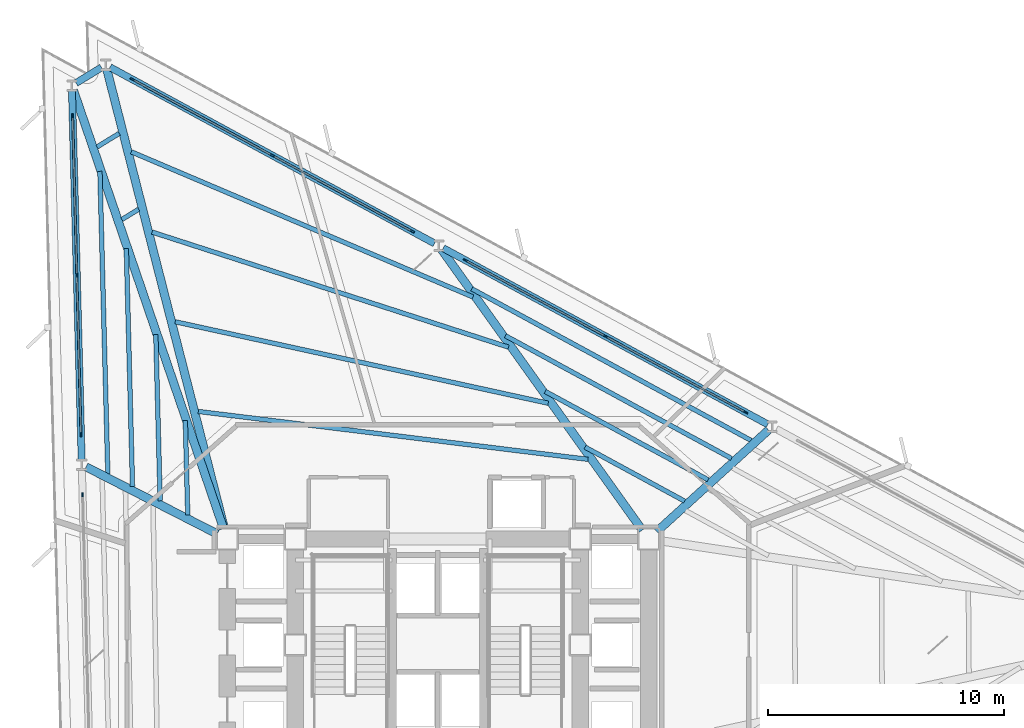
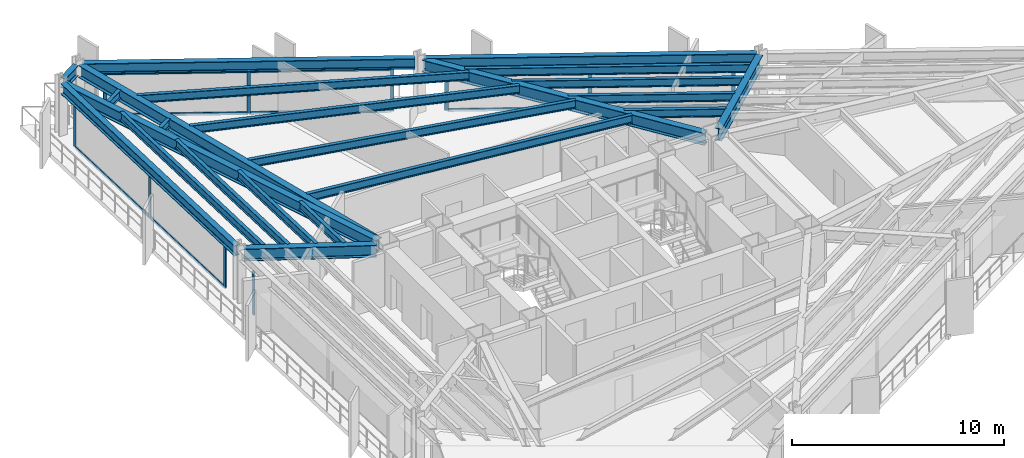
# One storey, part 5 of 14: 23 beams, 22 members, 4 elements without a shape of their own.
"""IFC4 building model written with IfcOpenShell, lengths in metres."""

from ifc_helpers import new_model, si_unit, direction, frame, origin, origin_2d, place, context, subcontext, project, spatial, rectangle, i_section, extrude, material, layer, layer_set, material_profile, profile_set, type_object, element, aggregate, save


model = new_model("IFC4")

# Units and contexts
model_context = context("Model", 3, precision=1e-05, world=origin(), true_north=direction((0.0, 1.0)))
body_context = subcontext(model_context, "Body", "Model", "MODEL_VIEW")
ifc_project = project(units=[si_unit("LENGTHUNIT", "METRE"), si_unit("AREAUNIT", "SQUARE_METRE"), si_unit("VOLUMEUNIT", "CUBIC_METRE"), si_unit("PLANEANGLEUNIT", "RADIAN"), si_unit("MASSUNIT", "GRAM", prefix="KILO")], contexts=[model_context])

# Site, building, storey
site_placement = place(None, origin())
site = spatial("IfcSite", under=ifc_project, at=site_placement, CompositionType="ELEMENT")
building_placement = place(site_placement, origin())
building = spatial("IfcBuilding", under=site, at=building_placement, Name="Rocaltana Carrier Exchange", CompositionType="ELEMENT")
storey_placement = place(building_placement, frame((0.0, 0.0, 22.239990234375)))
storey = spatial("IfcBuildingStorey", under=building, at=storey_placement, Name="L07", CompositionType="ELEMENT", Elevation=22.239990234375)

# Curtain wall, members
ifc_material_1 = material(Name="Aluminium 6063-T6", Category="aluminium")
ifc_layer = layer(ifc_material_1, 0.179931640625)
ifc_layer_set = layer_set([ifc_layer], Name="Aluminium 6063-T6")
curtain_wall_type = type_object("IfcCurtainWallType", Name="Sandstone Spandrel Unitised Curtain Wall CW-01", PredefinedType="NOTDEFINED", material=ifc_layer_set)
curtain_wall_1_placement = place(storey_placement, origin())
curtain_wall_1 = element("IfcCurtainWall", 1, at=curtain_wall_1_placement, inside=storey, type_object=curtain_wall_type, Name="L07 CW-01 Run CW-L07-F1S2", PredefinedType="NOTDEFINED")
ifc_material_2 = material(Name="Aluminium 6063-T6", Category="aluminium")
ifc_material_profile_1 = material_profile(ifc_material_2, rectangle(XDim=0.06494140625, YDim=0.179931640625, at=origin_2d()), Name="AL-65X180")
ifc_profile_set_1 = profile_set([ifc_material_profile_1], Name="Aluminium 6063-T6")
member_type_1 = type_object("IfcMemberType", Name="CW-01 Mullion AL-65X180", PredefinedType="MULLION", material=ifc_profile_set_1)
member_1_placement = place(storey_placement, frame((13.064697265625, 9.87890625, 0.0), z_axis=(0.0, 0.0, 1.0), x_axis=(-0.477164068636, -0.878814230428, 0.0)))
member_1 = element("IfcMember", 2, at=member_1_placement, type_object=member_type_1, Name="CW-01 mullion 1", PredefinedType="MULLION", context=body_context, shape_type="SweptSolid", body=[
    extrude(rectangle(XDim=0.06494140625, YDim=0.179931640625, at=origin_2d()), origin(), (0.0, 0.0, 1.0), 2.47802734375),
])
member_2_placement = place(storey_placement, frame((7.1171875, 13.108154296875, 0.0), z_axis=(0.0, 0.0, 1.0), x_axis=(-0.477164068636, -0.878814230428, 0.0)))
member_2 = element("IfcMember", 3, at=member_2_placement, type_object=member_type_1, Name="CW-01 mullion 2", PredefinedType="MULLION", context=body_context, shape_type="SweptSolid", body=[
    extrude(rectangle(XDim=0.06494140625, YDim=0.179931640625, at=origin_2d()), origin(), (0.0, 0.0, 1.0), 2.47802734375),
])
member_3_placement = place(storey_placement, frame((1.169677734375, 16.33740234375, 0.0), z_axis=(0.0, 0.0, 1.0), x_axis=(-0.477164068636, -0.878814230428, 0.0)))
member_3 = element("IfcMember", 4, at=member_3_placement, type_object=member_type_1, Name="CW-01 mullion 3", PredefinedType="MULLION", context=body_context, shape_type="SweptSolid", body=[
    extrude(rectangle(XDim=0.06494140625, YDim=0.179931640625, at=origin_2d()), origin(), (0.0, 0.0, 1.0), 2.47802734375),
])

curtain_wall_2_placement = place(storey_placement, origin())
curtain_wall_2 = element("IfcCurtainWall", 5, at=curtain_wall_2_placement, inside=storey, type_object=curtain_wall_type, Name="L07 CW-01 Run CW-L07-F1S3", PredefinedType="NOTDEFINED")
member_4_placement = place(storey_placement, frame((-1.08447265625, 17.5615234375, 0.0), z_axis=(0.0, 0.0, 1.0), x_axis=(-0.477155794406, -0.878818722982, 0.0)))
member_4 = element("IfcMember", 6, at=member_4_placement, type_object=member_type_1, Name="CW-01 mullion 1", PredefinedType="MULLION", context=body_context, shape_type="SweptSolid", body=[
    extrude(rectangle(XDim=0.06494140625, YDim=0.179931640625, at=origin_2d()), origin(), (0.0, 0.0, 1.0), 2.47802734375),
])
member_5_placement = place(storey_placement, frame((-7.03173828125, 20.79052734375, 0.0), z_axis=(0.0, 0.0, 1.0), x_axis=(-0.477155794406, -0.878818722982, 0.0)))
member_5 = element("IfcMember", 7, at=member_5_placement, type_object=member_type_1, Name="CW-01 mullion 2", PredefinedType="MULLION", context=body_context, shape_type="SweptSolid", body=[
    extrude(rectangle(XDim=0.06494140625, YDim=0.179931640625, at=origin_2d()), origin(), (0.0, 0.0, 1.0), 2.47802734375),
])
member_6_placement = place(storey_placement, frame((-12.979248046875, 24.019775390625, 0.0), z_axis=(0.0, 0.0, 1.0), x_axis=(-0.477155794406, -0.878818722982, 0.0)))
member_6 = element("IfcMember", 8, at=member_6_placement, type_object=member_type_1, Name="CW-01 mullion 3", PredefinedType="MULLION", context=body_context, shape_type="SweptSolid", body=[
    extrude(rectangle(XDim=0.06494140625, YDim=0.179931640625, at=origin_2d()), origin(), (0.0, 0.0, 1.0), 2.47802734375),
])

curtain_wall_3_placement = place(storey_placement, origin())
curtain_wall_3 = element("IfcCurtainWall", 9, at=curtain_wall_3_placement, inside=storey, type_object=curtain_wall_type, Name="L07 CW-01 Run CW-L07-F2S1", PredefinedType="NOTDEFINED")
member_7_placement = place(storey_placement, frame((-15.50927734375, 22.46923828125, 0.0), z_axis=(0.0, 0.0, 1.0), x_axis=(0.999657143044, 0.026183895077, 0.0)))
member_7 = element("IfcMember", 10, at=member_7_placement, type_object=member_type_1, Name="CW-01 mullion 1", PredefinedType="MULLION", context=body_context, shape_type="SweptSolid", body=[
    extrude(rectangle(XDim=0.06494140625, YDim=0.179931640625, at=origin_2d()), origin(), (0.0, 0.0, 1.0), 2.47802734375),
])
member_8_placement = place(storey_placement, frame((-15.33203125, 15.7041015625, 0.0), z_axis=(0.0, 0.0, 1.0), x_axis=(0.999657143044, 0.026183895077, 0.0)))
member_8 = element("IfcMember", 11, at=member_8_placement, type_object=member_type_1, Name="CW-01 mullion 2", PredefinedType="MULLION", context=body_context, shape_type="SweptSolid", body=[
    extrude(rectangle(XDim=0.06494140625, YDim=0.179931640625, at=origin_2d()), origin(), (0.0, 0.0, 1.0), 2.47802734375),
])
member_9_placement = place(storey_placement, frame((-15.155029296875, 8.93896484375, 0.0), z_axis=(0.0, 0.0, 1.0), x_axis=(0.999657143044, 0.026183895077, 0.0)))
member_9 = element("IfcMember", 12, at=member_9_placement, type_object=member_type_1, Name="CW-01 mullion 3", PredefinedType="MULLION", context=body_context, shape_type="SweptSolid", body=[
    extrude(rectangle(XDim=0.06494140625, YDim=0.179931640625, at=origin_2d()), origin(), (0.0, 0.0, 1.0), 2.47802734375),
])

# Curtain wall, member
curtain_wall_4_placement = place(storey_placement, origin())
curtain_wall_4 = element("IfcCurtainWall", 13, at=curtain_wall_4_placement, inside=storey, type_object=curtain_wall_type, Name="L07 CW-01 Run CW-L07-F2S2", PredefinedType="NOTDEFINED")
member_10_placement = place(storey_placement, frame((-15.087890625, 6.374755859375, 0.0), z_axis=(0.0, 0.0, 1.0), x_axis=(0.99965733548, 0.026176547142, 0.0)))
member_10 = element("IfcMember", 14, at=member_10_placement, type_object=member_type_1, Name="CW-01 mullion 1", PredefinedType="MULLION", context=body_context, shape_type="SweptSolid", body=[
    extrude(rectangle(XDim=0.06494140625, YDim=0.179931640625, at=origin_2d()), origin(), (0.0, 0.0, 1.0), 2.47802734375),
])
aggregate(curtain_wall_4, [member_10])

# Member
ifc_material_3 = material(Name="Aluminium 6063-T6", Category="aluminium")
ifc_material_profile_2 = material_profile(ifc_material_3, rectangle(XDim=0.06494140625, YDim=0.179931640625, at=origin_2d()), Name="AL-65X180")
ifc_profile_set_2 = profile_set([ifc_material_profile_2], Name="Aluminium 6063-T6")
member_type_2 = type_object("IfcMemberType", Name="CW-01 Transom AL-65X180", PredefinedType="USERDEFINED", material=ifc_profile_set_2)
member_11_placement = place(storey_placement, frame((13.0361328125, 9.89453125, 0.032470703125), z_axis=(-0.878815465576, 0.477161793802, 0.0), x_axis=(-0.477161793802, -0.878815465576, 0.0)))
member_11 = element("IfcMember", 15, at=member_11_placement, type_object=member_type_2, Name="CW-01 transom 1.1", ObjectType="TRANSOM", PredefinedType="USERDEFINED", context=body_context, shape_type="SweptSolid", body=[
    extrude(rectangle(XDim=0.06494140625, YDim=0.179931640625, at=origin_2d()), origin(), (0.0, 0.0, 1.0), 6.70263671875),
])

member_12_placement = place(storey_placement, frame((13.0361328125, 9.89453125, 2.445556640625), z_axis=(-0.878815465576, 0.477161793802, 0.0), x_axis=(-0.477161793802, -0.878815465576, 0.0)))
member_12 = element("IfcMember", 16, at=member_12_placement, type_object=member_type_2, Name="CW-01 transom 1.2", ObjectType="TRANSOM", PredefinedType="USERDEFINED", context=body_context, shape_type="SweptSolid", body=[
    extrude(rectangle(XDim=0.06494140625, YDim=0.179931640625, at=origin_2d()), origin(), (0.0, 0.0, 1.0), 6.70263671875),
])

member_13_placement = place(storey_placement, frame((7.088623046875, 13.123779296875, 0.032470703125), z_axis=(-0.878815465576, 0.477161793802, 0.0), x_axis=(-0.477161793802, -0.878815465576, 0.0)))
member_13 = element("IfcMember", 17, at=member_13_placement, type_object=member_type_2, Name="CW-01 transom 2.1", ObjectType="TRANSOM", PredefinedType="USERDEFINED", context=body_context, shape_type="SweptSolid", body=[
    extrude(rectangle(XDim=0.06494140625, YDim=0.179931640625, at=origin_2d()), origin(), (0.0, 0.0, 1.0), 6.70263671875),
])

member_14_placement = place(storey_placement, frame((7.088623046875, 13.123779296875, 2.445556640625), z_axis=(-0.878815465576, 0.477161793802, 0.0), x_axis=(-0.477161793802, -0.878815465576, 0.0)))
member_14 = element("IfcMember", 18, at=member_14_placement, type_object=member_type_2, Name="CW-01 transom 2.2", ObjectType="TRANSOM", PredefinedType="USERDEFINED", context=body_context, shape_type="SweptSolid", body=[
    extrude(rectangle(XDim=0.06494140625, YDim=0.179931640625, at=origin_2d()), origin(), (0.0, 0.0, 1.0), 6.70263671875),
])

aggregate(curtain_wall_1, [member_1, member_2, member_3, member_11, member_12, member_13, member_14])

member_15_placement = place(storey_placement, frame((-1.113037109375, 17.576904296875, 0.032470703125), z_axis=(-0.87880717191, 0.477177068392, 0.0), x_axis=(-0.477177068392, -0.87880717191, 0.0)))
member_15 = element("IfcMember", 19, at=member_15_placement, type_object=member_type_2, Name="CW-01 transom 1.1", ObjectType="TRANSOM", PredefinedType="USERDEFINED", context=body_context, shape_type="SweptSolid", body=[
    extrude(rectangle(XDim=0.06494140625, YDim=0.179931640625, at=origin_2d()), origin(), (0.0, 0.0, 1.0), 6.702392578125),
])

member_16_placement = place(storey_placement, frame((-1.113037109375, 17.576904296875, 2.445556640625), z_axis=(-0.87880717191, 0.477177068392, 0.0), x_axis=(-0.477177068392, -0.87880717191, 0.0)))
member_16 = element("IfcMember", 20, at=member_16_placement, type_object=member_type_2, Name="CW-01 transom 1.2", ObjectType="TRANSOM", PredefinedType="USERDEFINED", context=body_context, shape_type="SweptSolid", body=[
    extrude(rectangle(XDim=0.06494140625, YDim=0.179931640625, at=origin_2d()), origin(), (0.0, 0.0, 1.0), 6.702392578125),
])

member_17_placement = place(storey_placement, frame((-7.060302734375, 20.80615234375, 0.032470703125), z_axis=(-0.878830739565, 0.477133661772, 0.0), x_axis=(-0.477133661772, -0.878830739565, 0.0)))
member_17 = element("IfcMember", 21, at=member_17_placement, type_object=member_type_2, Name="CW-01 transom 2.1", ObjectType="TRANSOM", PredefinedType="USERDEFINED", context=body_context, shape_type="SweptSolid", body=[
    extrude(rectangle(XDim=0.06494140625, YDim=0.179931640625, at=origin_2d()), origin(), (0.0, 0.0, 1.0), 6.70263671875),
])

member_18_placement = place(storey_placement, frame((-7.060302734375, 20.80615234375, 2.445556640625), z_axis=(-0.878830739565, 0.477133661772, 0.0), x_axis=(-0.477133661772, -0.878830739565, 0.0)))
member_18 = element("IfcMember", 22, at=member_18_placement, type_object=member_type_2, Name="CW-01 transom 2.2", ObjectType="TRANSOM", PredefinedType="USERDEFINED", context=body_context, shape_type="SweptSolid", body=[
    extrude(rectangle(XDim=0.06494140625, YDim=0.179931640625, at=origin_2d()), origin(), (0.0, 0.0, 1.0), 6.70263671875),
])

aggregate(curtain_wall_2, [member_4, member_5, member_6, member_15, member_16, member_17, member_18])

member_19_placement = place(storey_placement, frame((-15.508544921875, 22.436767578125, 0.032470703125), z_axis=(0.026189818331, -0.999656987879, 0.0), x_axis=(0.999656987879, 0.026189818331, 0.0)))
member_19 = element("IfcMember", 23, at=member_19_placement, type_object=member_type_2, Name="CW-01 transom 1.1", ObjectType="TRANSOM", PredefinedType="USERDEFINED", context=body_context, shape_type="SweptSolid", body=[
    extrude(rectangle(XDim=0.06494140625, YDim=0.179931640625, at=origin_2d()), origin(), (0.0, 0.0, 1.0), 6.702392578125),
])

member_20_placement = place(storey_placement, frame((-15.508544921875, 22.436767578125, 2.445556640625), z_axis=(0.026189818331, -0.999656987879, 0.0), x_axis=(0.999656987879, 0.026189818331, 0.0)))
member_20 = element("IfcMember", 24, at=member_20_placement, type_object=member_type_2, Name="CW-01 transom 1.2", ObjectType="TRANSOM", PredefinedType="USERDEFINED", context=body_context, shape_type="SweptSolid", body=[
    extrude(rectangle(XDim=0.06494140625, YDim=0.179931640625, at=origin_2d()), origin(), (0.0, 0.0, 1.0), 6.702392578125),
])

member_21_placement = place(storey_placement, frame((-15.331298828125, 15.671630859375, 0.032470703125), z_axis=(0.026189818331, -0.999656987879, 0.0), x_axis=(0.999656987879, 0.026189818331, 0.0)))
member_21 = element("IfcMember", 25, at=member_21_placement, type_object=member_type_2, Name="CW-01 transom 2.1", ObjectType="TRANSOM", PredefinedType="USERDEFINED", context=body_context, shape_type="SweptSolid", body=[
    extrude(rectangle(XDim=0.06494140625, YDim=0.179931640625, at=origin_2d()), origin(), (0.0, 0.0, 1.0), 6.702392578125),
])

member_22_placement = place(storey_placement, frame((-15.331298828125, 15.671630859375, 2.445556640625), z_axis=(0.026189818331, -0.999656987879, 0.0), x_axis=(0.999656987879, 0.026189818331, 0.0)))
member_22 = element("IfcMember", 26, at=member_22_placement, type_object=member_type_2, Name="CW-01 transom 2.2", ObjectType="TRANSOM", PredefinedType="USERDEFINED", context=body_context, shape_type="SweptSolid", body=[
    extrude(rectangle(XDim=0.06494140625, YDim=0.179931640625, at=origin_2d()), origin(), (0.0, 0.0, 1.0), 6.702392578125),
])

aggregate(curtain_wall_3, [member_7, member_8, member_9, member_19, member_20, member_21, member_22])

# Beams
ifc_material_4 = material(Name="Steel S355", Category="steel")
ifc_material_profile_3 = material_profile(ifc_material_4, i_section(OverallWidth=0.193115234375, OverallDepth=0.466064453125, WebThickness=0.011474609375, FlangeThickness=0.01904296875, FilletRadius=0.013916015625, at=origin_2d()), Name="W18X65")
ifc_profile_set_3 = profile_set([ifc_material_profile_3], Name="Steel S355")
beam_type_1 = type_object("IfcBeamType", Name="Floor Joist W18X65", PredefinedType="JOIST", material=ifc_profile_set_3)
beam_1_placement = place(storey_placement, frame((10.4765625, 6.107421875, 2.864990234375), z_axis=(-0.87880781256, 0.477175888518, 0.0), x_axis=(-0.477175888518, -0.87880781256, 0.0)))
element("IfcBeam", 27, at=beam_1_placement, inside=storey, type_object=beam_type_1, Name="FJ-L07-02-1", PredefinedType="JOIST", context=body_context, shape_type="SweptSolid", body=[
    extrude(i_section(OverallWidth=0.193115234375, OverallDepth=0.466064453125, WebThickness=0.011474609375, FlangeThickness=0.01904296875, FilletRadius=0.013916015625, at=origin_2d()), origin(), (0.0, 0.0, 1.0), 4.808837890625),
])
beam_2_placement = place(storey_placement, frame((11.472412109375, 7.01318359375, 2.864990234375), z_axis=(-0.878817742056, 0.477157601059, 0.0), x_axis=(-0.477157601059, -0.878817742056, 0.0)))
element("IfcBeam", 28, at=beam_2_placement, inside=storey, type_object=beam_type_1, Name="FJ-L07-02-2", PredefinedType="JOIST", context=body_context, shape_type="SweptSolid", body=[
    extrude(i_section(OverallWidth=0.193115234375, OverallDepth=0.466064453125, WebThickness=0.011474609375, FlangeThickness=0.01904296875, FilletRadius=0.013916015625, at=origin_2d()), origin(), (0.0, 0.0, 1.0), 7.86767578125),
])
beam_3_placement = place(storey_placement, frame((12.468505859375, 7.918701171875, 2.864990234375), z_axis=(-0.878813547662, 0.477165326115, 0.0), x_axis=(-0.477165326115, -0.878813547662, 0.0)))
element("IfcBeam", 29, at=beam_3_placement, inside=storey, type_object=beam_type_1, Name="FJ-L07-02-3", PredefinedType="JOIST", context=body_context, shape_type="SweptSolid", body=[
    extrude(i_section(OverallWidth=0.193115234375, OverallDepth=0.466064453125, WebThickness=0.011474609375, FlangeThickness=0.01904296875, FilletRadius=0.013916015625, at=origin_2d()), origin(), (0.0, 0.0, 1.0), 10.92724609375),
])
beam_4_placement = place(storey_placement, frame((13.30712890625, 8.681396484375, 2.864990234375), z_axis=(-0.878808808583, 0.477174054152, 0.0), x_axis=(-0.477174054152, -0.878808808583, 0.0)))
element("IfcBeam", 30, at=beam_4_placement, inside=storey, type_object=beam_type_1, Name="FJ-L07-02-4", PredefinedType="JOIST", context=body_context, shape_type="SweptSolid", body=[
    extrude(i_section(OverallWidth=0.193115234375, OverallDepth=0.466064453125, WebThickness=0.011474609375, FlangeThickness=0.01904296875, FilletRadius=0.013916015625, at=origin_2d()), origin(), (0.0, 0.0, 1.0), 13.503173828125),
])
beam_5_placement = place(storey_placement, frame((6.374755859375, 7.882080078125, 2.864990234375), z_axis=(-0.992538792143, 0.121929266752, 0.0), x_axis=(-0.121929266752, -0.992538792143, 0.0)))
element("IfcBeam", 31, at=beam_5_placement, inside=storey, type_object=beam_type_1, Name="FJ-L07-03-1", PredefinedType="JOIST", context=body_context, shape_type="SweptSolid", body=[
    extrude(i_section(OverallWidth=0.193115234375, OverallDepth=0.466064453125, WebThickness=0.011474609375, FlangeThickness=0.01904296875, FilletRadius=0.013916015625, at=origin_2d()), origin(), (0.0, 0.0, 1.0), 16.671142578125),
])
beam_6_placement = place(storey_placement, frame((4.68505859375, 10.26318359375, 2.864990234375), z_axis=(-0.976950483749, 0.213466044848, 0.0), x_axis=(-0.213466044848, -0.976950483749, 0.0)))
element("IfcBeam", 32, at=beam_6_placement, inside=storey, type_object=beam_type_1, Name="FJ-L07-03-2", PredefinedType="JOIST", context=body_context, shape_type="SweptSolid", body=[
    extrude(i_section(OverallWidth=0.193115234375, OverallDepth=0.466064453125, WebThickness=0.011474609375, FlangeThickness=0.01904296875, FilletRadius=0.013916015625, at=origin_2d()), origin(), (0.0, 0.0, 1.0), 16.213134765625),
])
beam_7_placement = place(storey_placement, frame((2.9970703125, 12.644775390625, 2.864990234375), z_axis=(-0.951601211607, 0.307335539872, 0.0), x_axis=(-0.307335539872, -0.951601211607, 0.0)))
element("IfcBeam", 33, at=beam_7_placement, inside=storey, type_object=beam_type_1, Name="FJ-L07-03-3", PredefinedType="JOIST", context=body_context, shape_type="SweptSolid", body=[
    extrude(i_section(OverallWidth=0.193115234375, OverallDepth=0.466064453125, WebThickness=0.011474609375, FlangeThickness=0.01904296875, FilletRadius=0.013916015625, at=origin_2d()), origin(), (0.0, 0.0, 1.0), 15.905029296875),
])
beam_8_placement = place(storey_placement, frame((1.48828125, 14.775634765625, 2.864990234375), z_axis=(-0.920350290518, 0.391095055891, 0.0), x_axis=(-0.391095055891, -0.920350290518, 0.0)))
element("IfcBeam", 34, at=beam_8_placement, inside=storey, type_object=beam_type_1, Name="FJ-L07-03-4", PredefinedType="JOIST", context=body_context, shape_type="SweptSolid", body=[
    extrude(i_section(OverallWidth=0.193115234375, OverallDepth=0.466064453125, WebThickness=0.011474609375, FlangeThickness=0.01904296875, FilletRadius=0.013916015625, at=origin_2d()), origin(), (0.0, 0.0, 1.0), 15.76416015625),
])
beam_9_placement = place(storey_placement, frame((-12.70556640625, 18.502685546875, 2.864990234375), z_axis=(-0.852508958132, -0.522712613493, 0.0), x_axis=(0.522712613493, -0.852508958132, 0.0)))
element("IfcBeam", 35, at=beam_9_placement, inside=storey, type_object=beam_type_1, Name="FJ-L07-04-3", PredefinedType="JOIST", context=body_context, shape_type="SweptSolid", body=[
    extrude(i_section(OverallWidth=0.193115234375, OverallDepth=0.466064453125, WebThickness=0.011474609375, FlangeThickness=0.01904296875, FilletRadius=0.013916015625, at=origin_2d()), origin(), (0.0, 0.0, 1.0), 0.83642578125),
])
beam_10_placement = place(storey_placement, frame((-13.530517578125, 21.7236328125, 2.864990234375), z_axis=(-0.852664692341, -0.52245853657, 0.0), x_axis=(0.52245853657, -0.852664692341, 0.0)))
element("IfcBeam", 36, at=beam_10_placement, inside=storey, type_object=beam_type_1, Name="FJ-L07-04-4", PredefinedType="JOIST", context=body_context, shape_type="SweptSolid", body=[
    extrude(i_section(OverallWidth=0.193115234375, OverallDepth=0.466064453125, WebThickness=0.011474609375, FlangeThickness=0.01904296875, FilletRadius=0.013916015625, at=origin_2d()), origin(), (0.0, 0.0, 1.0), 1.106201171875),
])
beam_11_placement = place(storey_placement, frame((-10.7255859375, 9.5263671875, 2.864990234375), z_axis=(0.02615756085, -0.999657832466, 0.0), x_axis=(0.999657832466, 0.02615756085, 0.0)))
element("IfcBeam", 37, at=beam_11_placement, inside=storey, type_object=beam_type_1, Name="FJ-L07-05-1", PredefinedType="JOIST", context=body_context, shape_type="SweptSolid", body=[
    extrude(i_section(OverallWidth=0.193115234375, OverallDepth=0.466064453125, WebThickness=0.011474609375, FlangeThickness=0.01904296875, FilletRadius=0.013916015625, at=origin_2d()), origin(), (0.0, 0.0, 1.0), 4.004150390625),
])
beam_12_placement = place(storey_placement, frame((-11.978271484375, 13.18408203125, 2.864990234375), z_axis=(0.026201236861, -0.999656688662, 0.0), x_axis=(0.999656688662, 0.026201236861, 0.0)))
element("IfcBeam", 38, at=beam_12_placement, inside=storey, type_object=beam_type_1, Name="FJ-L07-05-2", PredefinedType="JOIST", context=body_context, shape_type="SweptSolid", body=[
    extrude(i_section(OverallWidth=0.193115234375, OverallDepth=0.466064453125, WebThickness=0.011474609375, FlangeThickness=0.01904296875, FilletRadius=0.013916015625, at=origin_2d()), origin(), (0.0, 0.0, 1.0), 7.06298828125),
])
beam_13_placement = place(storey_placement, frame((-13.23095703125, 16.841796875, 2.864990234375), z_axis=(0.026194410862, -0.99965686755, 0.0), x_axis=(0.99965686755, 0.026194410862, 0.0)))
element("IfcBeam", 39, at=beam_13_placement, inside=storey, type_object=beam_type_1, Name="FJ-L07-05-3", PredefinedType="JOIST", context=body_context, shape_type="SweptSolid", body=[
    extrude(i_section(OverallWidth=0.193115234375, OverallDepth=0.466064453125, WebThickness=0.011474609375, FlangeThickness=0.01904296875, FilletRadius=0.013916015625, at=origin_2d()), origin(), (0.0, 0.0, 1.0), 10.121826171875),
])
beam_14_placement = place(storey_placement, frame((-14.351806640625, 20.114501953125, 2.864990234375), z_axis=(0.026200832731, -0.999656699254, 0.0), x_axis=(0.999656699254, 0.026200832731, 0.0)))
element("IfcBeam", 40, at=beam_14_placement, inside=storey, type_object=beam_type_1, Name="FJ-L07-05-4", PredefinedType="JOIST", context=body_context, shape_type="SweptSolid", body=[
    extrude(i_section(OverallWidth=0.193115234375, OverallDepth=0.466064453125, WebThickness=0.011474609375, FlangeThickness=0.01904296875, FilletRadius=0.013916015625, at=origin_2d()), origin(), (0.0, 0.0, 1.0), 12.85888671875),
])
ifc_material_5 = material(Name="Steel S355", Category="steel")
ifc_material_profile_4 = material_profile(ifc_material_5, i_section(OverallWidth=0.35498046875, OverallDepth=0.695068359375, WebThickness=0.015380859375, FlangeThickness=0.02490234375, FilletRadius=0.01806640625, at=origin_2d()), Name="W27X146")
ifc_profile_set_4 = profile_set([ifc_material_profile_4], Name="Steel S355")
beam_type_2 = type_object("IfcBeamType", Name="Radial Girder W27X146", PredefinedType="BEAM", material=ifc_profile_set_4)
beam_15_placement = place(storey_placement, frame((9.29541015625, 4.814208984375, 2.75048828125), z_axis=(0.73980908692, 0.672816850941, 0.0), x_axis=(-0.672816850941, 0.73980908692, 0.0)))
element("IfcBeam", 41, at=beam_15_placement, inside=storey, type_object=beam_type_2, Name="RG-L07-02", PredefinedType="BEAM", context=body_context, shape_type="SweptSolid", body=[
    extrude(i_section(OverallWidth=0.35498046875, OverallDepth=0.695068359375, WebThickness=0.015380859375, FlangeThickness=0.02490234375, FilletRadius=0.01806640625, at=origin_2d()), origin(), (0.0, 0.0, 1.0), 6.410400390625),
])
beam_16_placement = place(storey_placement, frame((8.67822265625, 4.8798828125, 2.75048828125), z_axis=(-0.581877216918, 0.813276646924, 0.0), x_axis=(-0.813276646924, -0.581877216918, 0.0)))
element("IfcBeam", 42, at=beam_16_placement, inside=storey, type_object=beam_type_2, Name="RG-L07-03", PredefinedType="BEAM", context=body_context, shape_type="SweptSolid", body=[
    extrude(i_section(OverallWidth=0.35498046875, OverallDepth=0.695068359375, WebThickness=0.015380859375, FlangeThickness=0.02490234375, FilletRadius=0.01806640625, at=origin_2d()), origin(), (0.0, 0.0, 1.0), 14.632568359375),
])
beam_17_placement = place(storey_placement, frame((-9.06591796875, 4.952392578125, 2.75048828125), z_axis=(-0.24811709333, 0.968730049084, 0.0), x_axis=(-0.968730049084, -0.24811709333, 0.0)))
element("IfcBeam", 43, at=beam_17_placement, inside=storey, type_object=beam_type_2, Name="RG-L07-04", PredefinedType="BEAM", context=body_context, shape_type="SweptSolid", body=[
    extrude(i_section(OverallWidth=0.35498046875, OverallDepth=0.695068359375, WebThickness=0.015380859375, FlangeThickness=0.02490234375, FilletRadius=0.01806640625, at=origin_2d()), origin(), (0.0, 0.0, 1.0), 20.1064453125),
])
beam_18_placement = place(storey_placement, frame((-9.101318359375, 4.94189453125, 2.75048828125), z_axis=(-0.3239978436, 0.946057819239, 0.0), x_axis=(-0.946057819239, -0.3239978436, 0.0)))
element("IfcBeam", 44, at=beam_18_placement, inside=storey, type_object=beam_type_2, Name="RG-L07-05", PredefinedType="BEAM", context=body_context, shape_type="SweptSolid", body=[
    extrude(i_section(OverallWidth=0.35498046875, OverallDepth=0.695068359375, WebThickness=0.015380859375, FlangeThickness=0.02490234375, FilletRadius=0.01806640625, at=origin_2d()), origin(), (0.0, 0.0, 1.0), 19.673828125),
])
beam_19_placement = place(storey_placement, frame((-9.36572265625, 4.712646484375, 2.75048828125), z_axis=(-0.890292679997, 0.455388783287, 0.0), x_axis=(-0.455388783287, -0.890292679997, 0.0)))
element("IfcBeam", 45, at=beam_19_placement, inside=storey, type_object=beam_type_2, Name="RG-L07-06", PredefinedType="BEAM", context=body_context, shape_type="SweptSolid", body=[
    extrude(i_section(OverallWidth=0.35498046875, OverallDepth=0.695068359375, WebThickness=0.015380859375, FlangeThickness=0.02490234375, FilletRadius=0.01806640625, at=origin_2d()), origin(), (0.0, 0.0, 1.0), 6.257080078125),
])
ifc_material_6 = material(Name="Steel S355", Category="steel")
ifc_material_profile_5 = material_profile(ifc_material_6, i_section(OverallWidth=0.300048828125, OverallDepth=0.60009765625, WebThickness=0.015380859375, FlangeThickness=0.030029296875, FilletRadius=0.027099609375, at=origin_2d()), Name="HEB600")
ifc_profile_set_5 = profile_set([ifc_material_profile_5], Name="Steel S355")
beam_type_3 = type_object("IfcBeamType", Name="Spandrel Edge Beam HEB600", PredefinedType="SPANDREL", material=ifc_profile_set_5)
for number, where, z_axis, x_axis, name in (
    (46, (14.0087890625, 9.3662109375, 2.798095703125), (-0.8788112834, 0.477169496269, 0.0), (-0.477169496269, -0.8788112834, 0.0), "SP-L07-02"),
    (47, (-0.14013671875, 17.048583984375, 2.798095703125), (-0.8788112834, 0.477169496269, 0.0), (-0.477169496269, -0.8788112834, 0.0), "SP-L07-03"),
):
    element("IfcBeam", number, at=place(storey_placement, frame(where, z_axis=z_axis, x_axis=x_axis)), inside=storey, type_object=beam_type_3, Name=name, PredefinedType="SPANDREL", context=body_context, shape_type="SweptSolid", body=[
        extrude(i_section(OverallWidth=0.300048828125, OverallDepth=0.60009765625, WebThickness=0.015380859375, FlangeThickness=0.030029296875, FilletRadius=0.027099609375, at=origin_2d()), origin(), (0.0, 0.0, 1.0), 15.683837890625),
    ])
beam_20_placement = place(storey_placement, frame((-14.283447265625, 24.52294921875, 2.798095703125), z_axis=(-0.852720134586, -0.522368042735, 0.0), x_axis=(0.522368042735, -0.852720134586, 0.0)))
element("IfcBeam", 48, at=beam_20_placement, inside=storey, type_object=beam_type_3, Name="SP-L07-04", PredefinedType="SPANDREL", context=body_context, shape_type="SweptSolid", body=[
    extrude(i_section(OverallWidth=0.300048828125, OverallDepth=0.60009765625, WebThickness=0.015380859375, FlangeThickness=0.030029296875, FilletRadius=0.027099609375, at=origin_2d()), origin(), (0.0, 0.0, 1.0), 1.268798828125),
])
beam_21_placement = place(storey_placement, frame((-15.53759765625, 23.54345703125, 2.798095703125), z_axis=(0.026197794439, -0.999656778883, 0.0), x_axis=(0.999656778883, 0.026197794439, 0.0)))
element("IfcBeam", 49, at=beam_21_placement, inside=storey, type_object=beam_type_3, Name="SP-L07-05", PredefinedType="SPANDREL", context=body_context, shape_type="SweptSolid", body=[
    extrude(i_section(OverallWidth=0.300048828125, OverallDepth=0.60009765625, WebThickness=0.015380859375, FlangeThickness=0.030029296875, FilletRadius=0.027099609375, at=origin_2d()), origin(), (0.0, 0.0, 1.0), 15.68408203125),
])

save(model, "model.ifc")
